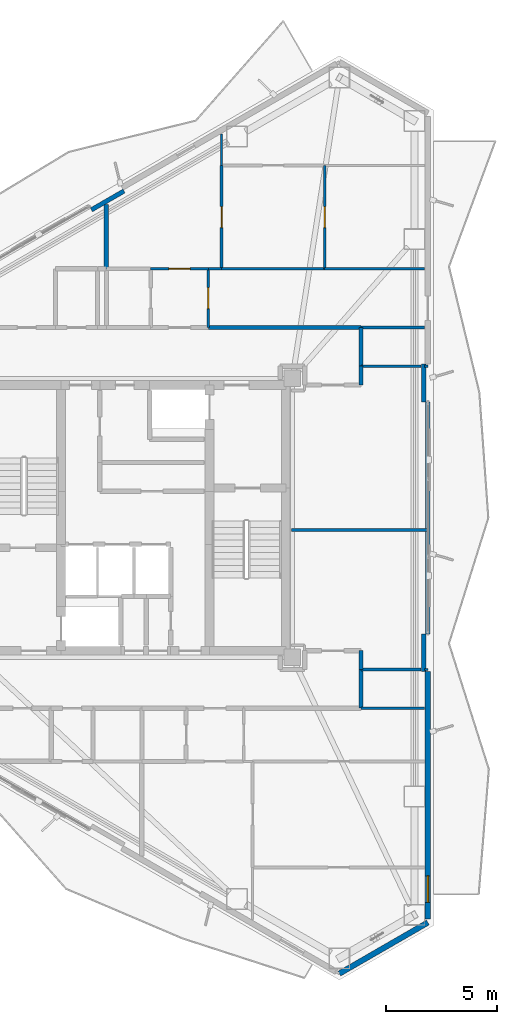
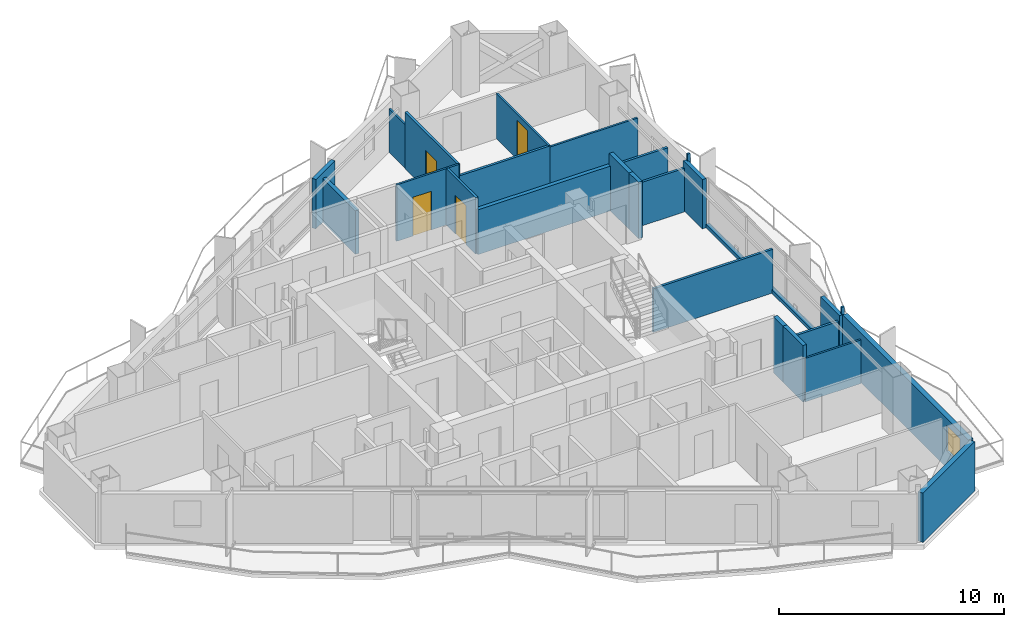
# One storey, part 16 of 19: 27 walls, 4 doors, 1 window, 5 openings.
"""IFC4 building model written with IfcOpenShell, lengths in metres."""

from ifc_helpers import new_model, si_unit, direction, frame, frame_2d, origin, place, context, subcontext, project, spatial, rectangle, extrude, material, layer, layer_set, type_object, element, fill, save


model = new_model("IFC4")

# Units and contexts
model_context = context("Model", 3, precision=1e-05, world=origin(), true_north=direction((0.0, 1.0)))
body_context = subcontext(model_context, "Body", "Model", "MODEL_VIEW")
ifc_project = project(units=[si_unit("LENGTHUNIT", "METRE"), si_unit("AREAUNIT", "SQUARE_METRE"), si_unit("VOLUMEUNIT", "CUBIC_METRE"), si_unit("PLANEANGLEUNIT", "RADIAN"), si_unit("MASSUNIT", "GRAM", prefix="KILO")], contexts=[model_context])

# Site, building, storey
site_placement = place(None, origin())
site = spatial("IfcSite", under=ifc_project, at=site_placement, CompositionType="ELEMENT")
building_placement = place(site_placement, origin())
building = spatial("IfcBuilding", under=site, at=building_placement, Name="Mersakhor Tower and Convention Hall", CompositionType="ELEMENT")
storey_placement = place(building_placement, frame((0.0, 0.0, 144.300048828125)))
storey = spatial("IfcBuildingStorey", under=building, at=storey_placement, Name="L40", CompositionType="ELEMENT", Elevation=144.300048828125)

# Wall
ifc_material_1 = material(Name="Precast concrete C40/50", Category="concrete")
ifc_layer_1 = layer(ifc_material_1, 0.25)
ifc_layer_set_1 = layer_set([ifc_layer_1], Name="Precast concrete C40/50")
wall_type_1 = type_object("IfcWallType", Name="WL-EXT-250", PredefinedType="SOLIDWALL", material=ifc_layer_set_1)
wall_1_placement = place(storey_placement, frame((42.21923828125, 8.470947265625, 0.0), z_axis=(0.0, 0.0, 1.0), x_axis=(-0.866035021055, -0.499983342029, 0.0)))
element("IfcWall", 1, at=wall_1_placement, inside=storey, type_object=wall_type_1, Name="L40 Chamfer Braced Spandrel Wall C2", PredefinedType="SOLIDWALL", context=body_context, shape_type="SweptSolid", body=[
    extrude(rectangle(XDim=4.617431640625, YDim=0.25, at=frame_2d((2.30859375, 0.0))), origin(), (0.0, 0.0, 1.0), 2.679931640625),
])

# Wall, opening, window
wall_2_placement = place(storey_placement, frame((42.21923828125, 19.806884765625, 0.0), z_axis=(0.0, 0.0, 1.0), x_axis=(0.0, -1.0, 0.0)))
wall_2 = element("IfcWall", 2, at=wall_2_placement, inside=storey, type_object=wall_type_1, Name="L40 Exterior Facade Wall F2-B3", PredefinedType="SOLIDWALL", context=body_context, shape_type="SweptSolid", body=[
    extrude(rectangle(XDim=11.185791015625, YDim=0.25, at=frame_2d((5.5927734375, 0.0))), origin(), (0.0, 0.0, 1.0), 2.679931640625),
])
opening_1_placement = place(wall_2_placement, frame((9.22705078125, 0.0, 0.89990234375)))
opening_1 = element("IfcOpeningElement", 3, at=opening_1_placement, cuts=wall_2, Name="Opening W-01", PredefinedType="OPENING", context=body_context, shape_type="SweptSolid", body=[
    extrude(rectangle(XDim=1.199951171875, YDim=1.39990234375, at=frame_2d((0.60009765625, 0.699951171875))), frame((0.0, 0.135009765625, 0.0), z_axis=(0.0, -1.0, 0.0), x_axis=(1.0, 0.0, 0.0)), (0.0, 0.0, 1.0), 0.27001953125),
])
ifc_material_2 = material(Name="Dark solar low-E glazed aluminium window", Category="aluminium")
window_type = type_object("IfcWindowType", Name="WN-RES-120x150", PartitioningType="SINGLE_PANEL", PredefinedType="WINDOW", material=ifc_material_2)
window_placement = place(opening_1_placement, origin())
window = element("IfcWindow", 4, at=window_placement, inside=storey, type_object=window_type, Name="L40 Bedroom Facade Window F2-B3-1", OverallHeight=1.39990234375, OverallWidth=1.199951171875, PartitioningType="SINGLE_PANEL", PredefinedType="WINDOW", context=body_context, shape_type="SweptSolid", body=[
    extrude(rectangle(XDim=1.199951171875, YDim=1.39990234375, at=frame_2d((0.60009765625, 0.699951171875))), frame((0.0, 0.030029296875, 0.0), z_axis=(0.0, -1.0, 0.0), x_axis=(1.0, 0.0, 0.0)), (0.0, 0.0, 1.0), 0.06005859375),
])
fill(opening_1, window)

# Walls
ifc_material_3 = material(Name="Precast concrete C40/50", Category="concrete")
ifc_layer_2 = layer(ifc_material_3, 0.199951171875)
ifc_layer_set_2 = layer_set([ifc_layer_2], Name="Precast concrete C40/50")
wall_type_2 = type_object("IfcWallType", Name="WL-PAR-200", PredefinedType="PARAPET", material=ifc_layer_set_2)
wall_3_placement = place(storey_placement, frame((27.02099609375, 40.663818359375, 0.0), z_axis=(0.0, 0.0, 1.0), x_axis=(0.86605165483, 0.499954529098, 0.0)))
element("IfcWall", 5, at=wall_3_placement, inside=storey, type_object=wall_type_2, Name="L40 Column Pier Cladding Wall F1-C2", PredefinedType="PARAPET", context=body_context, shape_type="SweptSolid", body=[
    extrude(rectangle(XDim=1.699951171875, YDim=0.199951171875, at=frame_2d((0.85009765625, 0.0))), origin(), (0.0, 0.0, 1.0), 2.679931640625),
])
wall_4_placement = place(storey_placement, frame((42.21923828125, 31.992919921875, 0.0), z_axis=(0.0, 0.0, 1.0), x_axis=(0.0, -1.0, 0.0)))
element("IfcWall", 6, at=wall_4_placement, inside=storey, type_object=wall_type_2, Name="L40 Curtain Wall Upstand Sill F2-B2", PredefinedType="PARAPET", context=body_context, shape_type="SweptSolid", body=[
    extrude(rectangle(XDim=10.48583984375, YDim=0.199951171875, at=frame_2d((5.242919921875, 0.0))), origin(), (0.0, 0.0, 1.0), 0.199951171875),
])
for number, where, z_axis, x_axis, name in (
    (7, (42.039306640625, 33.693115234375, 0.0), (0.0, 0.0, 1.0), (0.0, -1.0, 0.0), "L40 Column Pier Cladding Wall F2-C1"),
    (8, (42.039306640625, 21.507080078125, 0.0), (0.0, 0.0, 1.0), (0.0, -1.0, 0.0), "L40 Column Pier Cladding Wall F2-C2"),
):
    element("IfcWall", number, at=place(storey_placement, frame(where, z_axis=z_axis, x_axis=x_axis)), inside=storey, type_object=wall_type_2, Name=name, PredefinedType="PARAPET", context=body_context, shape_type="SweptSolid", body=[
        extrude(rectangle(XDim=1.7001953125, YDim=0.199951171875, at=frame_2d((0.85009765625, 0.0))), origin(), (0.0, 0.0, 1.0), 2.679931640625),
    ])

# Wall, opening, door
ifc_material_4 = material(Name="Lightweight gypsum partition", Category="other")
ifc_layer_3 = layer(ifc_material_4, 0.10009765625)
ifc_layer_set_3 = layer_set([ifc_layer_3], Name="Lightweight gypsum partition")
wall_type_3 = type_object("IfcWallType", Name="WL-PRT-100", PredefinedType="PARTITIONING", material=ifc_layer_set_3)
wall_5_placement = place(storey_placement, frame((29.699951171875, 38.0, 0.0), z_axis=(0.0, 0.0, 1.0), x_axis=(1.0, 0.0, 0.0)))
wall_5 = element("IfcWall", 9, at=wall_5_placement, inside=storey, type_object=wall_type_3, Name="L40 Interior Partition Wall P-052", PredefinedType="PARTITIONING", context=body_context, shape_type="SweptSolid", body=[
    extrude(rectangle(XDim=2.60009765625, YDim=0.10009765625, at=frame_2d((1.300048828125, 0.0))), origin(), (0.0, 0.0, 1.0), 3.06005859375),
])
opening_2_placement = place(wall_5_placement, frame((0.824951171875, 0.0, 0.0)))
opening_2 = element("IfcOpeningElement", 10, at=opening_2_placement, cuts=wall_5, Name="Opening RD-01", PredefinedType="OPENING", context=body_context, shape_type="SweptSolid", body=[
    extrude(rectangle(XDim=0.949951171875, YDim=2.10009765625, at=frame_2d((0.47509765625, 1.050048828125))), frame((0.0, 0.06005859375, 0.0), z_axis=(0.0, -1.0, 0.0), x_axis=(1.0, 0.0, 0.0)), (0.0, 0.0, 1.0), 0.1201171875),
])
ifc_material_5 = material(Name="Solid-core hardwood leaf in painted steel frame", Category="steel")
door_type = type_object("IfcDoorType", Name="DR-INT-RM-095x210", OperationType="NOTDEFINED", PredefinedType="DOOR", material=ifc_material_5)
door_1_placement = place(opening_2_placement, origin())
door_1 = element("IfcDoor", 11, at=door_1_placement, inside=storey, type_object=door_type, Name="L40 L40 Flat N2 Apartment Hall to L40 Flat N2 Living and Dining Room Door", OperationType="SINGLE_SWING_RIGHT", OverallHeight=2.10009765625, OverallWidth=0.949951171875, PredefinedType="DOOR", context=body_context, shape_type="SweptSolid", body=[
    extrude(rectangle(XDim=0.949951171875, YDim=2.10009765625, at=frame_2d((0.47509765625, 1.050048828125))), frame((0.0, 0.02490234375, 0.0), z_axis=(0.0, -1.0, 0.0), x_axis=(1.0, 0.0, 0.0)), (0.0, 0.0, 1.0), 0.050048828125),
])
fill(opening_2, door_1)

# Walls
wall_6_placement = place(storey_placement, frame((32.300048828125, 38.0, 0.0), z_axis=(0.0, 0.0, 1.0), x_axis=(1.0, 0.0, 0.0)))
element("IfcWall", 12, at=wall_6_placement, inside=storey, type_object=wall_type_3, Name="L40 Interior Partition Wall P-074", PredefinedType="PARTITIONING", context=body_context, shape_type="SweptSolid", body=[
    extrude(rectangle(XDim=0.599853515625, YDim=0.10009765625, at=frame_2d((0.2998046875, 0.0))), origin(), (0.0, 0.0, 1.0), 3.06005859375),
])
wall_7_placement = place(storey_placement, frame((37.56005859375, 38.0, 0.0), z_axis=(0.0, 0.0, 1.0), x_axis=(1.0, 0.0, 0.0)))
element("IfcWall", 13, at=wall_7_placement, inside=storey, type_object=wall_type_3, Name="L40 Interior Partition Wall P-076", PredefinedType="PARTITIONING", context=body_context, shape_type="SweptSolid", body=[
    extrude(rectangle(XDim=4.51025390625, YDim=0.10009765625, at=frame_2d((2.255126953125, 0.0))), origin(), (0.0, 0.0, 1.0), 2.364990234375),
])
wall_8_placement = place(storey_placement, frame((39.199951171875, 18.14990234375, 0.0), z_axis=(0.0, 0.0, 1.0), x_axis=(1.0, 0.0, 0.0)))
element("IfcWall", 14, at=wall_8_placement, inside=storey, type_object=wall_type_3, Name="L40 Interior Partition Wall P-082", PredefinedType="PARTITIONING", context=body_context, shape_type="SweptSolid", body=[
    extrude(rectangle(XDim=2.870361328125, YDim=0.10009765625, at=frame_2d((1.43505859375, 0.0))), origin(), (0.0, 0.0, 1.0), 2.364990234375),
])
for number, where, z_axis, x_axis, name in (
    (15, (42.07421875, 33.60009765625, 0.0), (0.0, 0.0, 1.0), (1.0, 0.0, 0.0), "L40 Interior Partition Wall P-102"),
    (16, (42.218994140625, 19.89990234375, 0.0), (0.0, 0.0, 1.0), (-1.0, 0.0, 0.0), "L40 Interior Partition Wall P-106"),
):
    element("IfcWall", number, at=place(storey_placement, frame(where, z_axis=z_axis, x_axis=x_axis)), inside=storey, type_object=wall_type_3, Name=name, PredefinedType="PARTITIONING", context=body_context, shape_type="SweptSolid", body=[
        extrude(rectangle(XDim=0.144775390625, YDim=0.10009765625, at=frame_2d((0.072265625, 0.0))), origin(), (0.0, 0.0, 1.0), 3.06005859375),
    ])
wall_9_placement = place(storey_placement, frame((32.89990234375, 44.09375, 0.0), z_axis=(0.0, 0.0, 1.0), x_axis=(0.0, -1.0, 0.0)))
element("IfcWall", 17, at=wall_9_placement, inside=storey, type_object=wall_type_3, Name="L40 Interior Partition Wall P-114", PredefinedType="PARTITIONING", context=body_context, shape_type="SweptSolid", body=[
    extrude(rectangle(XDim=1.423828125, YDim=0.10009765625, at=frame_2d((0.7119140625, 0.0))), origin(), (0.0, 0.0, 1.0), 2.364990234375),
])

# Wall, opening, door
wall_10_placement = place(storey_placement, frame((37.56005859375, 42.669921875, 0.0), z_axis=(0.0, 0.0, 1.0), x_axis=(0.0, -1.0, 0.0)))
wall_10 = element("IfcWall", 18, at=wall_10_placement, inside=storey, type_object=wall_type_3, Name="L40 Interior Partition Wall P-116", PredefinedType="PARTITIONING", context=body_context, shape_type="SweptSolid", body=[
    extrude(rectangle(XDim=4.669921875, YDim=0.10009765625, at=frame_2d((2.3349609375, 0.0))), origin(), (0.0, 0.0, 1.0), 2.432861328125),
])
opening_3_placement = place(wall_10_placement, frame((1.860107421875, 0.0, 0.0)))
opening_3 = element("IfcOpeningElement", 19, at=opening_3_placement, cuts=wall_10, Name="Opening RD-01", PredefinedType="OPENING", context=body_context, shape_type="SweptSolid", body=[
    extrude(rectangle(XDim=0.949951171875, YDim=2.10009765625, at=frame_2d((0.47509765625, 1.050048828125))), frame((0.0, 0.06005859375, 0.0), z_axis=(0.0, -1.0, 0.0), x_axis=(1.0, 0.0, 0.0)), (0.0, 0.0, 1.0), 0.1201171875),
])
door_2_placement = place(opening_3_placement, origin())
door_2 = element("IfcDoor", 20, at=door_2_placement, inside=storey, type_object=door_type, Name="L40 L40 Flat N2 Bedroom 1 to L40 Flat N2 Study Room Door", OperationType="SINGLE_SWING_RIGHT", OverallHeight=2.10009765625, OverallWidth=0.949951171875, PredefinedType="DOOR", context=body_context, shape_type="SweptSolid", body=[
    extrude(rectangle(XDim=0.949951171875, YDim=2.10009765625, at=frame_2d((0.47509765625, 1.050048828125))), frame((0.0, 0.02490234375, 0.0), z_axis=(0.0, -1.0, 0.0), x_axis=(1.0, 0.0, 0.0)), (0.0, 0.0, 1.0), 0.050048828125),
])
fill(opening_3, door_2)

ifc_material_6 = material(Name="Gypsum board acoustic partition", Category="other")
ifc_layer_4 = layer(ifc_material_6, 0.125)
ifc_layer_set_4 = layer_set([ifc_layer_4], Name="Gypsum board acoustic partition")
wall_type_4 = type_object("IfcWallType", Name="WL-PRT-125", PredefinedType="PARTITIONING", material=ifc_layer_set_4)
wall_11_placement = place(storey_placement, frame((32.300048828125, 38.0, 0.0), z_axis=(0.0, 0.0, 1.0), x_axis=(0.0, -1.0, 0.0)))
wall_11 = element("IfcWall", 21, at=wall_11_placement, inside=storey, type_object=wall_type_4, Name="L40 Interior Partition Wall P-053", PredefinedType="PARTITIONING", context=body_context, shape_type="SweptSolid", body=[
    extrude(rectangle(XDim=2.64990234375, YDim=0.125, at=frame_2d((1.324951171875, 0.0))), origin(), (0.0, 0.0, 1.0), 3.06005859375),
])
opening_4_placement = place(wall_11_placement, frame((0.85009765625, 0.0, 0.0)))
opening_4 = element("IfcOpeningElement", 22, at=opening_4_placement, cuts=wall_11, Name="Opening RD-01", PredefinedType="OPENING", context=body_context, shape_type="SweptSolid", body=[
    extrude(rectangle(XDim=0.949951171875, YDim=2.10009765625, at=frame_2d((0.47509765625, 1.050048828125))), frame((0.0, 0.072509765625, 0.0), z_axis=(0.0, -1.0, 0.0), x_axis=(1.0, 0.0, 0.0)), (0.0, 0.0, 1.0), 0.14501953125),
])
door_3_placement = place(opening_4_placement, origin())
door_3 = element("IfcDoor", 23, at=door_3_placement, inside=storey, type_object=door_type, Name="L40 L40 Flat N2 Apartment Hall to L40 Flat N2 Kitchen Door", OperationType="SINGLE_SWING_LEFT", OverallHeight=2.10009765625, OverallWidth=0.949951171875, PredefinedType="DOOR", context=body_context, shape_type="SweptSolid", body=[
    extrude(rectangle(XDim=0.949951171875, YDim=2.10009765625, at=frame_2d((0.47509765625, 1.050048828125))), frame((0.0, 0.02490234375, 0.0), z_axis=(0.0, -1.0, 0.0), x_axis=(1.0, 0.0, 0.0)), (0.0, 0.0, 1.0), 0.050048828125),
])
fill(opening_4, door_3)

# Walls
wall_12_placement = place(storey_placement, frame((42.0703125, 35.35009765625, 0.0), z_axis=(0.0, 0.0, 1.0), x_axis=(-1.0, 0.0, 0.0)))
element("IfcWall", 24, at=wall_12_placement, inside=storey, type_object=wall_type_4, Name="L40 Interior Partition Wall P-073", PredefinedType="PARTITIONING", context=body_context, shape_type="SweptSolid", body=[
    extrude(rectangle(XDim=2.870361328125, YDim=0.125, at=frame_2d((1.43505859375, 0.0))), origin(), (0.0, 0.0, 1.0), 2.364990234375),
])
wall_13_placement = place(storey_placement, frame((32.89990234375, 38.0, 0.0), z_axis=(0.0, 0.0, 1.0), x_axis=(1.0, 0.0, 0.0)))
element("IfcWall", 25, at=wall_13_placement, inside=storey, type_object=wall_type_4, Name="L40 Interior Partition Wall P-075", PredefinedType="PARTITIONING", context=body_context, shape_type="SweptSolid", body=[
    extrude(rectangle(XDim=4.66015625, YDim=0.125, at=frame_2d((2.330078125, 0.0))), origin(), (0.0, 0.0, 1.0), 2.432861328125),
])
wall_14_placement = place(storey_placement, frame((39.199951171875, 33.60009765625, 0.0), z_axis=(0.0, 0.0, 1.0), x_axis=(1.0, 0.0, 0.0)))
element("IfcWall", 26, at=wall_14_placement, inside=storey, type_object=wall_type_4, Name="L40 Interior Partition Wall P-101", PredefinedType="PARTITIONING", context=body_context, shape_type="SweptSolid", body=[
    extrude(rectangle(XDim=2.71533203125, YDim=0.125, at=frame_2d((1.357666015625, 0.0))), origin(), (0.0, 0.0, 1.0), 2.364990234375),
])
wall_15_placement = place(storey_placement, frame((42.18115234375, 26.199951171875, 0.0), z_axis=(0.0, 0.0, 1.0), x_axis=(-1.0, 0.0, 0.0)))
element("IfcWall", 27, at=wall_15_placement, inside=storey, type_object=wall_type_4, Name="L40 Interior Partition Wall P-103", PredefinedType="PARTITIONING", context=body_context, shape_type="SweptSolid", body=[
    extrude(rectangle(XDim=6.131103515625, YDim=0.125, at=frame_2d((3.0654296875, 0.0))), origin(), (0.0, 0.0, 1.0), 2.364990234375),
])
wall_16_placement = place(storey_placement, frame((41.915283203125, 19.89990234375, 0.0), z_axis=(0.0, 0.0, 1.0), x_axis=(-1.0, 0.0, 0.0)))
element("IfcWall", 28, at=wall_16_placement, inside=storey, type_object=wall_type_4, Name="L40 Interior Partition Wall P-107", PredefinedType="PARTITIONING", context=body_context, shape_type="SweptSolid", body=[
    extrude(rectangle(XDim=2.71533203125, YDim=0.125, at=frame_2d((1.357666015625, 0.0))), origin(), (0.0, 0.0, 1.0), 2.364990234375),
])

# Wall, opening, door
wall_17_placement = place(storey_placement, frame((32.89990234375, 42.669921875, 0.0), z_axis=(0.0, 0.0, 1.0), x_axis=(0.0, -1.0, 0.0)))
wall_17 = element("IfcWall", 29, at=wall_17_placement, inside=storey, type_object=wall_type_4, Name="L40 Interior Partition Wall P-115", PredefinedType="PARTITIONING", context=body_context, shape_type="SweptSolid", body=[
    extrude(rectangle(XDim=4.669921875, YDim=0.125, at=frame_2d((2.3349609375, 0.0))), origin(), (0.0, 0.0, 1.0), 3.06005859375),
])
opening_5_placement = place(wall_17_placement, frame((1.860107421875, 0.0, 0.0)))
opening_5 = element("IfcOpeningElement", 30, at=opening_5_placement, cuts=wall_17, Name="Opening RD-01", PredefinedType="OPENING", context=body_context, shape_type="SweptSolid", body=[
    extrude(rectangle(XDim=0.949951171875, YDim=2.10009765625, at=frame_2d((0.47509765625, 1.050048828125))), frame((0.0, 0.072509765625, 0.0), z_axis=(0.0, -1.0, 0.0), x_axis=(1.0, 0.0, 0.0)), (0.0, 0.0, 1.0), 0.14501953125),
])
door_4_placement = place(opening_5_placement, origin())
door_4 = element("IfcDoor", 31, at=door_4_placement, inside=storey, type_object=door_type, Name="L40 L40 Flat N2 Living and Dining Room to L40 Flat N2 Bedroom 1 Door", OperationType="SINGLE_SWING_LEFT", OverallHeight=2.10009765625, OverallWidth=0.949951171875, PredefinedType="DOOR", context=body_context, shape_type="SweptSolid", body=[
    extrude(rectangle(XDim=0.949951171875, YDim=2.10009765625, at=frame_2d((0.47509765625, 1.050048828125))), frame((0.0, 0.02490234375, 0.0), z_axis=(0.0, -1.0, 0.0), x_axis=(1.0, 0.0, 0.0)), (0.0, 0.0, 1.0), 0.050048828125),
])
fill(opening_5, door_4)

# Walls
ifc_material_7 = material(Name="Acoustic concrete blockwork and gypsum board", Category="masonry")
ifc_layer_5 = layer(ifc_material_7, 0.199951171875)
ifc_layer_set_5 = layer_set([ifc_layer_5], Name="Acoustic concrete blockwork and gypsum board")
wall_type_5 = type_object("IfcWallType", Name="WL-PRT-200", PredefinedType="PARTITIONING", material=ifc_layer_set_5)
wall_18_placement = place(storey_placement, frame((32.300048828125, 35.35009765625, 0.0), z_axis=(0.0, 0.0, 1.0), x_axis=(1.0, 0.0, 0.0)))
element("IfcWall", 32, at=wall_18_placement, inside=storey, type_object=wall_type_5, Name="L40 Interior Partition Wall P-028", PredefinedType="PARTITIONING", context=body_context, shape_type="SweptSolid", body=[
    extrude(rectangle(XDim=6.89990234375, YDim=0.199951171875, at=frame_2d((3.449951171875, 0.0))), origin(), (0.0, 0.0, 1.0), 2.432861328125),
])
wall_19_placement = place(storey_placement, frame((39.199951171875, 35.35009765625, 0.0), z_axis=(0.0, 0.0, 1.0), x_axis=(0.0, -1.0, 0.0)))
element("IfcWall", 33, at=wall_19_placement, inside=storey, type_object=wall_type_5, Name="L40 Interior Partition Wall P-029", PredefinedType="PARTITIONING", context=body_context, shape_type="SweptSolid", body=[
    extrude(rectangle(XDim=1.75, YDim=0.199951171875, at=frame_2d((0.875, 0.0))), origin(), (0.0, 0.0, 1.0), 3.06005859375),
])
for number, where, z_axis, x_axis, name in (
    (34, (39.199951171875, 33.60009765625, 0.0), (0.0, 0.0, 1.0), (0.0, -1.0, 0.0), "L40 Interior Partition Wall P-030"),
    (35, (39.199951171875, 20.75, 0.0), (0.0, 0.0, 1.0), (0.0, -1.0, 0.0), "L40 Interior Partition Wall P-039"),
):
    element("IfcWall", number, at=place(storey_placement, frame(where, z_axis=z_axis, x_axis=x_axis)), inside=storey, type_object=wall_type_5, Name=name, PredefinedType="PARTITIONING", context=body_context, shape_type="SweptSolid", body=[
        extrude(rectangle(XDim=0.85009765625, YDim=0.199951171875, at=frame_2d((0.425048828125, 0.0))), origin(), (0.0, 0.0, 1.0), 3.06005859375),
    ])
wall_20_placement = place(storey_placement, frame((39.199951171875, 19.89990234375, 0.0), z_axis=(0.0, 0.0, 1.0), x_axis=(0.0, -1.0, 0.0)))
element("IfcWall", 36, at=wall_20_placement, inside=storey, type_object=wall_type_5, Name="L40 Interior Partition Wall P-040", PredefinedType="PARTITIONING", context=body_context, shape_type="SweptSolid", body=[
    extrude(rectangle(XDim=1.75, YDim=0.199951171875, at=frame_2d((0.875, 0.0))), origin(), (0.0, 0.0, 1.0), 3.06005859375),
])
wall_21_placement = place(storey_placement, frame((27.699951171875, 40.91259765625, 0.0), z_axis=(0.0, 0.0, 1.0), x_axis=(0.0, -1.0, 0.0)))
element("IfcWall", 37, at=wall_21_placement, inside=storey, type_object=wall_type_5, Name="L40 Interior Partition Wall P-108", PredefinedType="PARTITIONING", context=body_context, shape_type="SweptSolid", body=[
    extrude(rectangle(XDim=2.91259765625, YDim=0.199951171875, at=frame_2d((1.456298828125, 0.0))), origin(), (0.0, 0.0, 1.0), 2.364990234375),
])

save(model, "model.ifc")
